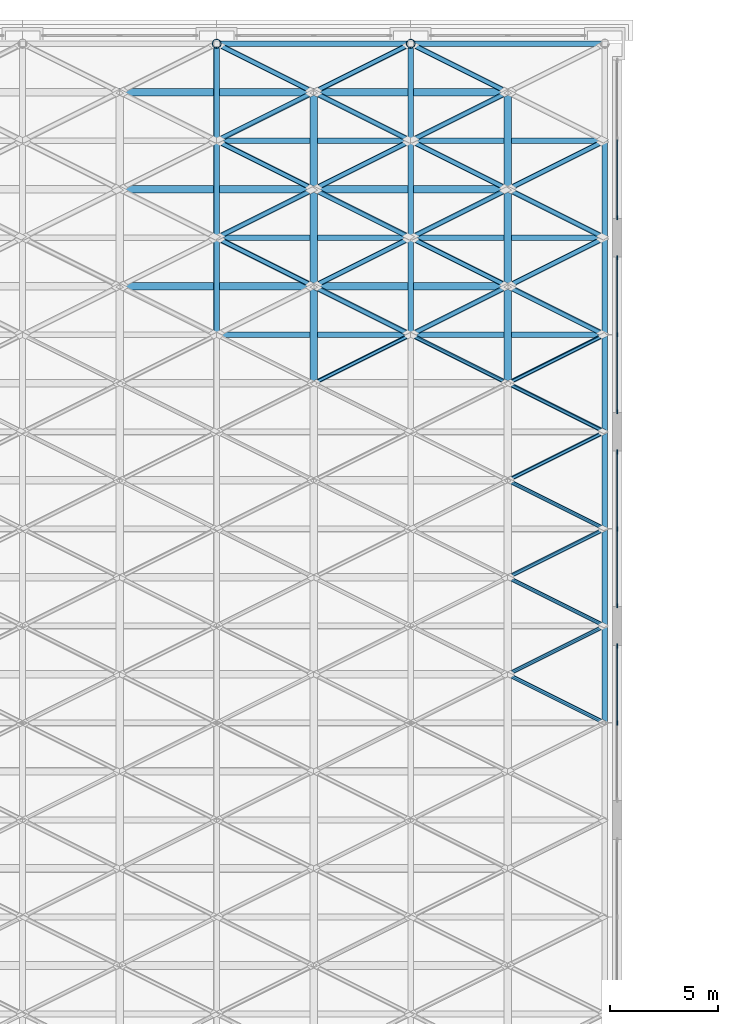
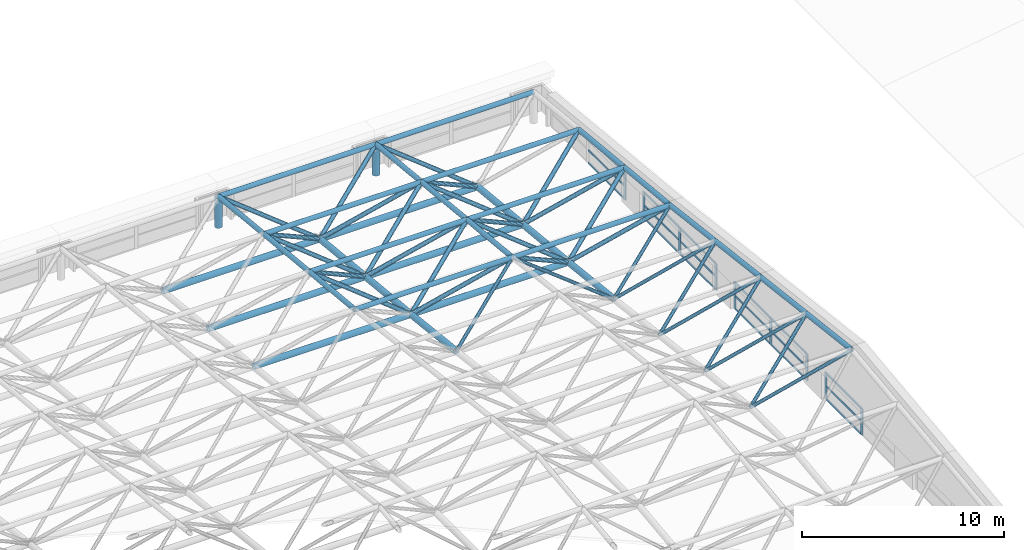
# One storey, part 18 of 53: 92 members, 4 elements without a shape of their own.
"""IFC4 building model written with IfcOpenShell, lengths in metres."""

from ifc_helpers import new_model, si_unit, direction, frame, origin, origin_2d, place, context, subcontext, project, spatial, rectangle, hollow_circle, extrude, material, material_profile, profile_set, type_object, element, aggregate, save


model = new_model("IFC4")

# Units and contexts
model_context = context("Model", 3, precision=1e-05, world=origin(), true_north=direction((0.0, 1.0)))
body_context = subcontext(model_context, "Body", "Model", "MODEL_VIEW")
ifc_project = project(units=[si_unit("LENGTHUNIT", "METRE"), si_unit("AREAUNIT", "SQUARE_METRE"), si_unit("VOLUMEUNIT", "CUBIC_METRE"), si_unit("PLANEANGLEUNIT", "RADIAN"), si_unit("MASSUNIT", "GRAM", prefix="KILO")], contexts=[model_context])

# Site, building, storey
site_placement = place(None, origin())
site = spatial("IfcSite", under=ifc_project, at=site_placement, CompositionType="ELEMENT")
building_placement = place(site_placement, origin())
building = spatial("IfcBuilding", under=site, at=building_placement, Name="Aravalli Gate Trade Fair Centre", CompositionType="ELEMENT")
storey_placement = place(building_placement, frame((0.0, 0.0, 25.199951171875)))
storey = spatial("IfcBuildingStorey", under=building, at=storey_placement, Name="ROOF LEVEL 2", CompositionType="ELEMENT", Elevation=25.199951171875)

# Members
ifc_material_1 = material(Name="Steel E350", Category="steel")
ifc_material_profile_1 = material_profile(ifc_material_1, hollow_circle(Radius=0.096923828125, WallThickness=0.00634765625, at=origin_2d()), Name="CHS 193.7x6.3")
ifc_profile_set_1 = profile_set([ifc_material_profile_1], Name="Steel E350")
member_type_1 = type_object("IfcMemberType", Name="CHS 193.7x6.3", PredefinedType="BRACE", material=ifc_profile_set_1)
for number, where, z_axis, x_axis, name in (
    (1, (105.0, 77.5, 5.330078125), (-0.74994242606, 0.37497121303, -0.544961417895), (-0.4472135955, -0.894427191, 0.0), "Space frame web diagonal D4B"),
    (2, (105.0, 82.0, 4.7900390625), (-0.74994242606, 0.37497121303, -0.544961417895), (-0.4472135955, -0.894427191, 0.0), "Space frame web diagonal D4B"),
):
    element("IfcMember", number, at=place(storey_placement, frame(where, z_axis=z_axis, x_axis=x_axis)), inside=storey, type_object=member_type_1, Name=name, PredefinedType="BRACE", context=body_context, shape_type="SweptSolid", body=[
        extrude(hollow_circle(Radius=0.096923828125, WallThickness=0.00634765625, at=origin_2d()), origin(), (0.0, 0.0, 1.0), 6.00048828125),
    ])
for number, where, z_axis, x_axis, name in (
    (3, (105.0, 82.0, 4.7900390625), (-0.786150117051, -0.393075058526, -0.476927658901), (0.4472135955, -0.894427191, 0.0), "Space frame web diagonal D4D"),
    (4, (105.0, 86.5, 4.25), (-0.786150117051, -0.393075058526, -0.476927658901), (0.4472135955, -0.894427191, 0.0), "Space frame web diagonal D4D"),
):
    element("IfcMember", number, at=place(storey_placement, frame(where, z_axis=z_axis, x_axis=x_axis)), inside=storey, type_object=member_type_1, Name=name, PredefinedType="BRACE", context=body_context, shape_type="SweptSolid", body=[
        extrude(hollow_circle(Radius=0.096923828125, WallThickness=0.00634765625, at=origin_2d()), origin(), (0.0, 0.0, 1.0), 5.72412109375),
    ])
for number, where, z_axis, x_axis, name in (
    (5, (105.0, 86.5, 4.25), (-0.749609832162, 0.374804916081, -0.545533110277), (-0.4472135955, -0.894427191, 0.0), "Space frame web diagonal D5B"),
    (6, (105.0, 91.0, 3.699951171875), (-0.749609832162, 0.374804916081, -0.545533110277), (-0.4472135955, -0.894427191, 0.0), "Space frame web diagonal D5B"),
):
    element("IfcMember", number, at=place(storey_placement, frame(where, z_axis=z_axis, x_axis=x_axis)), inside=storey, type_object=member_type_1, Name=name, PredefinedType="BRACE", context=body_context, shape_type="SweptSolid", body=[
        extrude(hollow_circle(Radius=0.096923828125, WallThickness=0.00634765625, at=origin_2d()), origin(), (0.0, 0.0, 1.0), 6.003173828125),
    ])
for number, where, z_axis, x_axis, name in (
    (7, (96.0, 95.5, 3.150146484375), (0.786469857322, -0.393234928661, -0.476268258867), (0.4472135955, 0.894427191, 0.0), "Space frame web diagonal D5C"),
    (8, (105.0, 91.0, 3.699951171875), (-0.786485839543, -0.393242919772, -0.476235267749), (0.4472135955, -0.894427191, 0.0), "Space frame web diagonal D5D"),
    (9, (96.0, 95.5, 3.150146484375), (-0.786469857322, -0.393234928661, -0.476268258867), (0.4472135955, -0.894427191, 0.0), "Space frame web diagonal D5D"),
    (10, (105.0, 95.5, 3.150146484375), (-0.786469857322, -0.393234928661, -0.476268258867), (0.4472135955, -0.894427191, 0.0), "Space frame web diagonal D5D"),
):
    element("IfcMember", number, at=place(storey_placement, frame(where, z_axis=z_axis, x_axis=x_axis)), inside=storey, type_object=member_type_1, Name=name, PredefinedType="BRACE", context=body_context, shape_type="SweptSolid", body=[
        extrude(hollow_circle(Radius=0.096923828125, WallThickness=0.00634765625, at=origin_2d()), origin(), (0.0, 0.0, 1.0), 5.7216796875),
    ])
ifc_material_profile_2 = material_profile(ifc_material_1, hollow_circle(Radius=0.122314453125, WallThickness=0.008056640625, at=origin_2d()), Name="CHS 244.5x8")
ifc_profile_set_2 = profile_set([ifc_material_profile_2], Name="Steel E350")
member_type_2 = type_object("IfcMemberType", Name="CHS 244.5x8", PredefinedType="BRACE", material=ifc_profile_set_2)
for number, where, z_axis, x_axis, name in (
    (11, (96.0, 95.5, 3.150146484375), (0.752999619823, 0.376499809912, -0.539666068678), (-0.4472135955, 0.894427191, 0.0), "Space frame web diagonal D6A"),
    (12, (87.0, 100.0, 2.699951171875), (0.753016221047, 0.376508110523, -0.539637112837), (-0.4472135955, 0.894427191, 0.0), "Space frame web diagonal D6A"),
    (13, (96.0, 100.0, 2.699951171875), (0.753016221047, 0.376508110523, -0.539637112837), (-0.4472135955, 0.894427191, 0.0), "Space frame web diagonal D6A"),
    (14, (87.0, 104.5, 2.25), (0.753016221047, 0.376508110523, -0.539637112837), (-0.4472135955, 0.894427191, 0.0), "Space frame web diagonal D6A"),
    (15, (96.0, 104.5, 2.25), (0.753016221047, 0.376508110523, -0.539637112837), (-0.4472135955, 0.894427191, 0.0), "Space frame web diagonal D6A"),
    (16, (96.0, 95.5, 3.150146484375), (-0.752999619823, 0.376499809912, -0.539666068678), (-0.4472135955, -0.894427191, 0.0), "Space frame web diagonal D6B"),
    (17, (105.0, 95.5, 3.150146484375), (-0.752999619823, 0.376499809912, -0.539666068678), (-0.4472135955, -0.894427191, 0.0), "Space frame web diagonal D6B"),
    (18, (96.0, 100.0, 2.699951171875), (-0.753016221047, 0.376508110523, -0.539637112837), (-0.4472135955, -0.894427191, 0.0), "Space frame web diagonal D6B"),
    (19, (105.0, 100.0, 2.699951171875), (-0.753016221047, 0.376508110523, -0.539637112837), (-0.4472135955, -0.894427191, 0.0), "Space frame web diagonal D6B"),
    (20, (96.0, 104.5, 2.25), (-0.753016221047, 0.376508110523, -0.539637112837), (-0.4472135955, -0.894427191, 0.0), "Space frame web diagonal D6B"),
):
    element("IfcMember", number, at=place(storey_placement, frame(where, z_axis=z_axis, x_axis=x_axis)), inside=storey, type_object=member_type_2, Name=name, PredefinedType="BRACE", context=body_context, shape_type="SweptSolid", body=[
        extrude(hollow_circle(Radius=0.122314453125, WallThickness=0.008056640625, at=origin_2d()), origin(), (0.0, 0.0, 1.0), 5.97607421875),
    ])
for number, where, z_axis, x_axis, name in (
    (21, (87.0, 100.0, 2.699951171875), (0.783200147531, -0.391600073766, -0.48295642778), (0.4472135955, 0.894427191, 0.0), "Space frame web diagonal D6C"),
    (22, (96.0, 100.0, 2.699951171875), (0.783200147531, -0.391600073766, -0.48295642778), (0.4472135955, 0.894427191, 0.0), "Space frame web diagonal D6C"),
    (23, (87.0, 104.5, 2.25), (0.783200147531, -0.391600073766, -0.48295642778), (0.4472135955, 0.894427191, 0.0), "Space frame web diagonal D6C"),
    (24, (96.0, 104.5, 2.25), (0.783200147531, -0.391600073766, -0.48295642778), (0.4472135955, 0.894427191, 0.0), "Space frame web diagonal D6C"),
    (25, (87.0, 109.0, 1.800048828125), (0.783200147531, -0.391600073766, -0.48295642778), (0.4472135955, 0.894427191, 0.0), "Space frame web diagonal D6C"),
    (26, (96.0, 109.0, 1.800048828125), (0.783200147531, -0.391600073766, -0.48295642778), (0.4472135955, 0.894427191, 0.0), "Space frame web diagonal D6C"),
    (27, (96.0, 100.0, 2.699951171875), (-0.783200147531, -0.391600073766, -0.48295642778), (0.4472135955, -0.894427191, 0.0), "Space frame web diagonal D6D"),
    (28, (105.0, 100.0, 2.699951171875), (-0.783200147531, -0.391600073766, -0.48295642778), (0.4472135955, -0.894427191, 0.0), "Space frame web diagonal D6D"),
    (29, (96.0, 104.5, 2.25), (-0.783200147531, -0.391600073766, -0.48295642778), (0.4472135955, -0.894427191, 0.0), "Space frame web diagonal D6D"),
    (30, (105.0, 104.5, 2.25), (-0.783200147531, -0.391600073766, -0.48295642778), (0.4472135955, -0.894427191, 0.0), "Space frame web diagonal D6D"),
    (31, (96.0, 109.0, 1.800048828125), (-0.783200147531, -0.391600073766, -0.48295642778), (0.4472135955, -0.894427191, 0.0), "Space frame web diagonal D6D"),
):
    element("IfcMember", number, at=place(storey_placement, frame(where, z_axis=z_axis, x_axis=x_axis)), inside=storey, type_object=member_type_2, Name=name, PredefinedType="BRACE", context=body_context, shape_type="SweptSolid", body=[
        extrude(hollow_circle(Radius=0.122314453125, WallThickness=0.008056640625, at=origin_2d()), origin(), (0.0, 0.0, 1.0), 5.74560546875),
    ])
ifc_material_profile_3 = material_profile(ifc_material_1, hollow_circle(Radius=0.136474609375, WallThickness=0.010009765625, at=origin_2d()), Name="CHS 273.1x10")
ifc_profile_set_3 = profile_set([ifc_material_profile_3], Name="Steel E350")
member_type_3 = type_object("IfcMemberType", Name="CHS 273.1x10", PredefinedType="CHORD", material=ifc_profile_set_3)
for number, where, z_axis, x_axis, name in (
    (32, (87.0, 95.5, 3.150146484375), (1.0, 0.0, 0.0), (0.0, 1.0, 0.0), "Space frame top chord along the lines T6"),
    (33, (96.0, 95.5, 3.150146484375), (1.0, 0.0, 0.0), (0.0, 1.0, 0.0), "Space frame top chord along the lines T6"),
    (34, (87.0, 100.0, 2.699951171875), (1.0, 0.0, 0.0), (0.0, 1.0, 0.0), "Space frame top chord along the lines T7"),
    (35, (96.0, 100.0, 2.699951171875), (1.0, 0.0, 0.0), (0.0, 1.0, 0.0), "Space frame top chord along the lines T7"),
    (36, (87.0, 104.5, 2.25), (1.0, 0.0, 0.0), (0.0, 1.0, 0.0), "Space frame top chord along the lines T7"),
    (37, (96.0, 104.5, 2.25), (1.0, 0.0, 0.0), (0.0, 1.0, 0.0), "Space frame top chord along the lines T7"),
):
    element("IfcMember", number, at=place(storey_placement, frame(where, z_axis=z_axis, x_axis=x_axis)), inside=storey, type_object=member_type_3, Name=name, PredefinedType="CHORD", context=body_context, shape_type="SweptSolid", body=[
        extrude(hollow_circle(Radius=0.136474609375, WallThickness=0.010009765625, at=origin_2d()), origin(), (0.0, 0.0, 1.0), 9.0),
    ])
for number, where, z_axis, x_axis, name in (
    (38, (87.0, 95.5, 3.150146484375), (0.0, 0.995032913332, -0.099546478526), (-1.0, 0.0, 0.0), "Space frame top chord across the vault Y6"),
    (39, (87.0, 100.0, 2.699951171875), (0.0, 0.995038259148, -0.099493029059), (-1.0, 0.0, 0.0), "Space frame top chord across the vault Y6"),
    (40, (87.0, 104.5, 2.25), (0.0, 0.995038259148, -0.099493029059), (-1.0, 0.0, 0.0), "Space frame top chord across the vault Y6"),
    (41, (96.0, 95.5, 3.150146484375), (0.0, 0.995032913332, -0.099546478526), (-1.0, 0.0, 0.0), "Space frame top chord across the vault Y6"),
    (42, (96.0, 100.0, 2.699951171875), (0.0, 0.995038259148, -0.099493029059), (-1.0, 0.0, 0.0), "Space frame top chord across the vault Y6"),
    (43, (96.0, 104.5, 2.25), (0.0, 0.995038259148, -0.099493029059), (-1.0, 0.0, 0.0), "Space frame top chord across the vault Y6"),
):
    element("IfcMember", number, at=place(storey_placement, frame(where, z_axis=z_axis, x_axis=x_axis)), inside=storey, type_object=member_type_3, Name=name, PredefinedType="CHORD", context=body_context, shape_type="SweptSolid", body=[
        extrude(hollow_circle(Radius=0.136474609375, WallThickness=0.010009765625, at=origin_2d()), origin(), (0.0, 0.0, 1.0), 4.5224609375),
    ])
ifc_material_profile_4 = material_profile(ifc_material_1, hollow_circle(Radius=0.136474609375, WallThickness=0.01611328125, at=origin_2d()), Name="CHS 273.1x16")
ifc_profile_set_4 = profile_set([ifc_material_profile_4], Name="Steel E350")
member_type_4 = type_object("IfcMemberType", Name="CHS 273.1x16", PredefinedType="CHORD", material=ifc_profile_set_4)
for number, where, z_axis, x_axis, name in (
    (44, (87.0, 109.0, 1.800048828125), (1.0, 0.0, 0.0), (0.0, 1.0, 0.0), "Space frame top chord along the lines TE2"),
    (45, (96.0, 109.0, 1.800048828125), (1.0, 0.0, 0.0), (0.0, 1.0, 0.0), "Space frame top chord along the lines TE2"),
):
    element("IfcMember", number, at=place(storey_placement, frame(where, z_axis=z_axis, x_axis=x_axis)), inside=storey, type_object=member_type_4, Name=name, PredefinedType="CHORD", context=body_context, shape_type="SweptSolid", body=[
        extrude(hollow_circle(Radius=0.136474609375, WallThickness=0.01611328125, at=origin_2d()), origin(), (0.0, 0.0, 1.0), 9.0),
    ])
for number, where, z_axis, x_axis, name in (
    (46, (105.0, 77.5, 5.330078125), (0.0, 0.992875818887, -0.11915371698), (-1.0, 0.0, 0.0), "Space frame edge chord at the end lines YE4"),
    (47, (105.0, 82.0, 4.7900390625), (0.0, 0.992875818887, -0.11915371698), (-1.0, 0.0, 0.0), "Space frame edge chord at the end lines YE4"),
):
    element("IfcMember", number, at=place(storey_placement, frame(where, z_axis=z_axis, x_axis=x_axis)), inside=storey, type_object=member_type_4, Name=name, PredefinedType="CHORD", context=body_context, shape_type="SweptSolid", body=[
        extrude(hollow_circle(Radius=0.136474609375, WallThickness=0.01611328125, at=origin_2d()), origin(), (0.0, 0.0, 1.0), 4.5322265625),
    ])
for number, where, z_axis, x_axis, name in (
    (48, (105.0, 86.5, 4.25), (0.0, 0.992612220818, -0.121330041965), (-1.0, 0.0, 0.0), "Space frame edge chord at the end lines YE5"),
    (49, (105.0, 91.0, 3.699951171875), (0.0, 0.992618705116, -0.12127698155), (-1.0, 0.0, 0.0), "Space frame edge chord at the end lines YE5"),
):
    element("IfcMember", number, at=place(storey_placement, frame(where, z_axis=z_axis, x_axis=x_axis)), inside=storey, type_object=member_type_4, Name=name, PredefinedType="CHORD", context=body_context, shape_type="SweptSolid", body=[
        extrude(hollow_circle(Radius=0.136474609375, WallThickness=0.01611328125, at=origin_2d()), origin(), (0.0, 0.0, 1.0), 4.533447265625),
    ])
for number, where, z_axis, x_axis, name in (
    (50, (105.0, 95.5, 3.150146484375), (0.0, 0.995032913332, -0.099546478526), (-1.0, 0.0, 0.0), "Space frame edge chord at the end lines YE6"),
    (51, (105.0, 100.0, 2.699951171875), (0.0, 0.995038259148, -0.099493029059), (-1.0, 0.0, 0.0), "Space frame edge chord at the end lines YE6"),
):
    element("IfcMember", number, at=place(storey_placement, frame(where, z_axis=z_axis, x_axis=x_axis)), inside=storey, type_object=member_type_4, Name=name, PredefinedType="CHORD", context=body_context, shape_type="SweptSolid", body=[
        extrude(hollow_circle(Radius=0.136474609375, WallThickness=0.01611328125, at=origin_2d()), origin(), (0.0, 0.0, 1.0), 4.5224609375),
    ])
ifc_material_profile_5 = material_profile(ifc_material_1, hollow_circle(Radius=0.177734375, WallThickness=0.010009765625, at=origin_2d()), Name="CHS 355.6x10")
ifc_profile_set_5 = profile_set([ifc_material_profile_5], Name="Steel E350")
member_type_5 = type_object("IfcMemberType", Name="CHS 355.6x10", PredefinedType="CHORD", material=ifc_profile_set_5)
for number, where, z_axis, x_axis, name in (
    (52, (82.5, 97.75, -0.074951171875), (1.0, 0.0, 0.0), (0.0, 1.0, 0.0), "Space frame bottom chord along the lines B6"),
    (53, (91.5, 97.75, -0.074951171875), (1.0, 0.0, 0.0), (0.0, 1.0, 0.0), "Space frame bottom chord along the lines B6"),
    (54, (82.5, 102.25, -0.52490234375), (1.0, 0.0, 0.0), (0.0, 1.0, 0.0), "Space frame bottom chord along the lines B6"),
    (55, (91.5, 102.25, -0.52490234375), (1.0, 0.0, 0.0), (0.0, 1.0, 0.0), "Space frame bottom chord along the lines B6"),
):
    element("IfcMember", number, at=place(storey_placement, frame(where, z_axis=z_axis, x_axis=x_axis)), inside=storey, type_object=member_type_5, Name=name, PredefinedType="CHORD", context=body_context, shape_type="SweptSolid", body=[
        extrude(hollow_circle(Radius=0.177734375, WallThickness=0.010009765625, at=origin_2d()), origin(), (0.0, 0.0, 1.0), 9.0),
    ])
for number, where, z_axis, x_axis, name in (
    (56, (91.5, 93.25, 0.425048828125), (0.0, 0.993883734674, -0.110431526075), (-1.0, 0.0, 0.0), "Space frame bottom chord across the vault C10"),
    (57, (100.5, 93.25, 0.425048828125), (0.0, 0.993883734674, -0.110431526075), (-1.0, 0.0, 0.0), "Space frame bottom chord across the vault C10"),
):
    element("IfcMember", number, at=place(storey_placement, frame(where, z_axis=z_axis, x_axis=x_axis)), inside=storey, type_object=member_type_5, Name=name, PredefinedType="CHORD", context=body_context, shape_type="SweptSolid", body=[
        extrude(hollow_circle(Radius=0.177734375, WallThickness=0.010009765625, at=origin_2d()), origin(), (0.0, 0.0, 1.0), 4.527587890625),
    ])
for number, where, z_axis, x_axis, name in (
    (58, (91.5, 97.75, -0.074951171875), (0.0, 0.995038259148, -0.099493029059), (-1.0, 0.0, 0.0), "Space frame bottom chord across the vault C11"),
    (59, (91.5, 102.25, -0.52490234375), (0.0, 0.995038259148, -0.099493029059), (-1.0, 0.0, 0.0), "Space frame bottom chord across the vault C11"),
    (60, (100.5, 97.75, -0.074951171875), (0.0, 0.995038259148, -0.099493029059), (-1.0, 0.0, 0.0), "Space frame bottom chord across the vault C11"),
    (61, (100.5, 102.25, -0.52490234375), (0.0, 0.995038259148, -0.099493029059), (-1.0, 0.0, 0.0), "Space frame bottom chord across the vault C11"),
):
    element("IfcMember", number, at=place(storey_placement, frame(where, z_axis=z_axis, x_axis=x_axis)), inside=storey, type_object=member_type_5, Name=name, PredefinedType="CHORD", context=body_context, shape_type="SweptSolid", body=[
        extrude(hollow_circle(Radius=0.177734375, WallThickness=0.010009765625, at=origin_2d()), origin(), (0.0, 0.0, 1.0), 4.5224609375),
    ])
ifc_material_profile_6 = material_profile(ifc_material_1, hollow_circle(Radius=0.177734375, WallThickness=0.01611328125, at=origin_2d()), Name="CHS 355.6x16")
ifc_profile_set_6 = profile_set([ifc_material_profile_6], Name="Steel E350")
member_type_6 = type_object("IfcMemberType", Name="CHS 355.6x16", PredefinedType="CHORD", material=ifc_profile_set_6)
for number, where, z_axis, x_axis, name in (
    (62, (82.5, 106.75, -0.974853515625), (1.0, 0.0, 0.0), (0.0, 1.0, 0.0), "Space frame bottom chord along the lines BE2"),
    (63, (91.5, 106.75, -0.974853515625), (1.0, 0.0, 0.0), (0.0, 1.0, 0.0), "Space frame bottom chord along the lines BE2"),
):
    element("IfcMember", number, at=place(storey_placement, frame(where, z_axis=z_axis, x_axis=x_axis)), inside=storey, type_object=member_type_6, Name=name, PredefinedType="CHORD", context=body_context, shape_type="SweptSolid", body=[
        extrude(hollow_circle(Radius=0.177734375, WallThickness=0.01611328125, at=origin_2d()), origin(), (0.0, 0.0, 1.0), 9.0),
    ])
ifc_material_profile_7 = material_profile(ifc_material_1, hollow_circle(Radius=0.203125, WallThickness=0.01611328125, at=origin_2d()), Name="CHS 406.4x16")
ifc_profile_set_7 = profile_set([ifc_material_profile_7], Name="Steel E350")
member_type_7 = type_object("IfcMemberType", Name="CHS 406.4x16", PredefinedType="POST", material=ifc_profile_set_7)
for number, where, z_axis, x_axis, name in (
    (64, (87.0, 109.0, 0.0), (0.0, 0.0, 1.0), (1.0, 0.0, 0.0), "Space frame bearing post P1"),
    (65, (96.0, 109.0, 0.0), (0.0, 0.0, 1.0), (1.0, 0.0, 0.0), "Space frame bearing post P1"),
):
    element("IfcMember", number, at=place(storey_placement, frame(where, z_axis=z_axis, x_axis=x_axis)), inside=storey, type_object=member_type_7, Name=name, PredefinedType="POST", context=body_context, shape_type="SweptSolid", body=[
        extrude(hollow_circle(Radius=0.203125, WallThickness=0.01611328125, at=origin_2d()), origin(), (0.0, 0.0, 1.0), 1.800048828125),
    ])

# Curtain wall, members
ifc_material_2 = material(Name="Aluminium, glass and louvre", Category="aluminium")
curtain_wall_type = type_object("IfcCurtainWallType", Name="Hall crown curtain wall 3000 module", PredefinedType="NOTDEFINED", material=ifc_material_2)
curtain_wall_1_placement = place(storey_placement, origin())
curtain_wall_1 = element("IfcCurtainWall", 66, at=curtain_wall_1_placement, inside=storey, type_object=curtain_wall_type, Name="Hall east crown curtain wall 4 ROOF LEVEL 2", PredefinedType="NOTDEFINED")
ifc_material_3 = material(Name="Aluminium", Category="aluminium")
ifc_material_profile_8 = material_profile(ifc_material_3, rectangle(XDim=0.06005859375, YDim=0.199951171875, at=origin_2d()), Name="Hall curtain wall mullion 60 x 200")
ifc_profile_set_8 = profile_set([ifc_material_profile_8], Name="Aluminium")
member_type_8 = type_object("IfcMemberType", Name="Hall curtain wall mullion 60 x 200", PredefinedType="MULLION", material=ifc_profile_set_8)
member_1_placement = place(storey_placement, frame((105.574951171875, 77.5, 0.0), z_axis=(0.0, 0.0, 1.0), x_axis=(-1.0, 0.0, 0.0)))
member_1 = element("IfcMember", 67, at=member_1_placement, type_object=member_type_8, Name="HCW1 mullion 2", PredefinedType="MULLION", context=body_context, shape_type="SweptSolid", body=[
    extrude(rectangle(XDim=0.06005859375, YDim=0.199951171875, at=origin_2d()), origin(), (0.0, 0.0, 1.0), 1.60009765625),
])
member_2_placement = place(storey_placement, frame((105.574951171875, 81.070068359375, 0.0), z_axis=(0.0, 0.0, 1.0), x_axis=(-1.0, 0.0, 0.0)))
member_2 = element("IfcMember", 68, at=member_2_placement, type_object=member_type_8, Name="HCW1 mullion 3", PredefinedType="MULLION", context=body_context, shape_type="SweptSolid", body=[
    extrude(rectangle(XDim=0.06005859375, YDim=0.199951171875, at=origin_2d()), origin(), (0.0, 0.0, 1.0), 1.60009765625),
])

curtain_wall_2_placement = place(storey_placement, origin())
curtain_wall_2 = element("IfcCurtainWall", 69, at=curtain_wall_2_placement, inside=storey, type_object=curtain_wall_type, Name="Hall east crown curtain wall 5 ROOF LEVEL 2", PredefinedType="NOTDEFINED")
member_3_placement = place(storey_placement, frame((105.574951171875, 82.929931640625, 0.0), z_axis=(0.0, 0.0, 1.0), x_axis=(-1.0, 0.0, 0.0)))
member_3 = element("IfcMember", 70, at=member_3_placement, type_object=member_type_8, Name="HCW1 mullion 1", PredefinedType="MULLION", context=body_context, shape_type="SweptSolid", body=[
    extrude(rectangle(XDim=0.06005859375, YDim=0.199951171875, at=origin_2d()), origin(), (0.0, 0.0, 1.0), 1.60009765625),
])
member_4_placement = place(storey_placement, frame((105.574951171875, 86.5, 0.0), z_axis=(0.0, 0.0, 1.0), x_axis=(-1.0, 0.0, 0.0)))
member_4 = element("IfcMember", 71, at=member_4_placement, type_object=member_type_8, Name="HCW1 mullion 2", PredefinedType="MULLION", context=body_context, shape_type="SweptSolid", body=[
    extrude(rectangle(XDim=0.06005859375, YDim=0.199951171875, at=origin_2d()), origin(), (0.0, 0.0, 1.0), 1.60009765625),
])
member_5_placement = place(storey_placement, frame((105.574951171875, 90.070068359375, 0.0), z_axis=(0.0, 0.0, 1.0), x_axis=(-1.0, 0.0, 0.0)))
member_5 = element("IfcMember", 72, at=member_5_placement, type_object=member_type_8, Name="HCW1 mullion 3", PredefinedType="MULLION", context=body_context, shape_type="SweptSolid", body=[
    extrude(rectangle(XDim=0.06005859375, YDim=0.199951171875, at=origin_2d()), origin(), (0.0, 0.0, 1.0), 1.60009765625),
])

curtain_wall_3_placement = place(storey_placement, origin())
curtain_wall_3 = element("IfcCurtainWall", 73, at=curtain_wall_3_placement, inside=storey, type_object=curtain_wall_type, Name="Hall east crown curtain wall 6 ROOF LEVEL 2", PredefinedType="NOTDEFINED")
member_6_placement = place(storey_placement, frame((105.574951171875, 91.929931640625, 0.0), z_axis=(0.0, 0.0, 1.0), x_axis=(-1.0, 0.0, 0.0)))
member_6 = element("IfcMember", 74, at=member_6_placement, type_object=member_type_8, Name="HCW1 mullion 1", PredefinedType="MULLION", context=body_context, shape_type="SweptSolid", body=[
    extrude(rectangle(XDim=0.06005859375, YDim=0.199951171875, at=origin_2d()), origin(), (0.0, 0.0, 1.0), 1.60009765625),
])
member_7_placement = place(storey_placement, frame((105.574951171875, 95.5, 0.0), z_axis=(0.0, 0.0, 1.0), x_axis=(-1.0, 0.0, 0.0)))
member_7 = element("IfcMember", 75, at=member_7_placement, type_object=member_type_8, Name="HCW1 mullion 2", PredefinedType="MULLION", context=body_context, shape_type="SweptSolid", body=[
    extrude(rectangle(XDim=0.06005859375, YDim=0.199951171875, at=origin_2d()), origin(), (0.0, 0.0, 1.0), 1.60009765625),
])
member_8_placement = place(storey_placement, frame((105.574951171875, 99.070068359375, 0.0), z_axis=(0.0, 0.0, 1.0), x_axis=(-1.0, 0.0, 0.0)))
member_8 = element("IfcMember", 76, at=member_8_placement, type_object=member_type_8, Name="HCW1 mullion 3", PredefinedType="MULLION", context=body_context, shape_type="SweptSolid", body=[
    extrude(rectangle(XDim=0.06005859375, YDim=0.199951171875, at=origin_2d()), origin(), (0.0, 0.0, 1.0), 1.60009765625),
])

# Curtain wall, member
curtain_wall_4_placement = place(storey_placement, origin())
curtain_wall_4 = element("IfcCurtainWall", 77, at=curtain_wall_4_placement, inside=storey, type_object=curtain_wall_type, Name="Hall east crown curtain wall 7 ROOF LEVEL 2", PredefinedType="NOTDEFINED")
member_9_placement = place(storey_placement, frame((105.574951171875, 100.929931640625, 0.0), z_axis=(0.0, 0.0, 1.0), x_axis=(-1.0, 0.0, 0.0)))
member_9 = element("IfcMember", 78, at=member_9_placement, type_object=member_type_8, Name="HCW1 mullion 1", PredefinedType="MULLION", context=body_context, shape_type="SweptSolid", body=[
    extrude(rectangle(XDim=0.06005859375, YDim=0.199951171875, at=origin_2d()), origin(), (0.0, 0.0, 1.0), 1.60009765625),
])

# Member
ifc_material_profile_9 = material_profile(ifc_material_3, rectangle(XDim=0.06005859375, YDim=0.1201171875, at=origin_2d()), Name="Hall curtain wall transom 60 x 120")
ifc_profile_set_9 = profile_set([ifc_material_profile_9], Name="Aluminium")
member_type_9 = type_object("IfcMemberType", Name="Hall curtain wall transom 60 x 120", PredefinedType="USERDEFINED", material=ifc_profile_set_9)
member_10_placement = place(storey_placement, frame((105.574951171875, 77.530029296875, 0.030029296875), z_axis=(0.0, 1.0, 0.0), x_axis=(-1.0, 0.0, 0.0)))
member_10 = element("IfcMember", 79, at=member_10_placement, type_object=member_type_9, Name="HCW1 transom 2.1", ObjectType="TRANSOM", PredefinedType="USERDEFINED", context=body_context, shape_type="SweptSolid", body=[
    extrude(rectangle(XDim=0.06005859375, YDim=0.1201171875, at=origin_2d()), origin(), (0.0, 0.0, 1.0), 3.510009765625),
])

member_11_placement = place(storey_placement, frame((105.574951171875, 77.530029296875, 0.800048828125), z_axis=(0.0, 1.0, 0.0), x_axis=(-1.0, 0.0, 0.0)))
member_11 = element("IfcMember", 80, at=member_11_placement, type_object=member_type_9, Name="HCW1 transom 2.2", ObjectType="TRANSOM", PredefinedType="USERDEFINED", context=body_context, shape_type="SweptSolid", body=[
    extrude(rectangle(XDim=0.06005859375, YDim=0.1201171875, at=origin_2d()), origin(), (0.0, 0.0, 1.0), 3.510009765625),
])

member_12_placement = place(storey_placement, frame((105.574951171875, 77.530029296875, 1.570068359375), z_axis=(0.0, 1.0, 0.0), x_axis=(-1.0, 0.0, 0.0)))
member_12 = element("IfcMember", 81, at=member_12_placement, type_object=member_type_9, Name="HCW1 transom 2.3", ObjectType="TRANSOM", PredefinedType="USERDEFINED", context=body_context, shape_type="SweptSolid", body=[
    extrude(rectangle(XDim=0.06005859375, YDim=0.1201171875, at=origin_2d()), origin(), (0.0, 0.0, 1.0), 3.510009765625),
])

aggregate(curtain_wall_1, [member_1, member_2, member_10, member_11, member_12])

member_13_placement = place(storey_placement, frame((105.574951171875, 82.9599609375, 0.030029296875), z_axis=(0.0, 1.0, 0.0), x_axis=(-1.0, 0.0, 0.0)))
member_13 = element("IfcMember", 82, at=member_13_placement, type_object=member_type_9, Name="HCW1 transom 1.1", ObjectType="TRANSOM", PredefinedType="USERDEFINED", context=body_context, shape_type="SweptSolid", body=[
    extrude(rectangle(XDim=0.06005859375, YDim=0.1201171875, at=origin_2d()), origin(), (0.0, 0.0, 1.0), 3.510009765625),
])

member_14_placement = place(storey_placement, frame((105.574951171875, 82.9599609375, 0.800048828125), z_axis=(0.0, 1.0, 0.0), x_axis=(-1.0, 0.0, 0.0)))
member_14 = element("IfcMember", 83, at=member_14_placement, type_object=member_type_9, Name="HCW1 transom 1.2", ObjectType="TRANSOM", PredefinedType="USERDEFINED", context=body_context, shape_type="SweptSolid", body=[
    extrude(rectangle(XDim=0.06005859375, YDim=0.1201171875, at=origin_2d()), origin(), (0.0, 0.0, 1.0), 3.510009765625),
])

member_15_placement = place(storey_placement, frame((105.574951171875, 82.9599609375, 1.570068359375), z_axis=(0.0, 1.0, 0.0), x_axis=(-1.0, 0.0, 0.0)))
member_15 = element("IfcMember", 84, at=member_15_placement, type_object=member_type_9, Name="HCW1 transom 1.3", ObjectType="TRANSOM", PredefinedType="USERDEFINED", context=body_context, shape_type="SweptSolid", body=[
    extrude(rectangle(XDim=0.06005859375, YDim=0.1201171875, at=origin_2d()), origin(), (0.0, 0.0, 1.0), 3.510009765625),
])

member_16_placement = place(storey_placement, frame((105.574951171875, 86.530029296875, 0.030029296875), z_axis=(0.0, 1.0, 0.0), x_axis=(-1.0, 0.0, 0.0)))
member_16 = element("IfcMember", 85, at=member_16_placement, type_object=member_type_9, Name="HCW1 transom 2.1", ObjectType="TRANSOM", PredefinedType="USERDEFINED", context=body_context, shape_type="SweptSolid", body=[
    extrude(rectangle(XDim=0.06005859375, YDim=0.1201171875, at=origin_2d()), origin(), (0.0, 0.0, 1.0), 3.510009765625),
])

member_17_placement = place(storey_placement, frame((105.574951171875, 86.530029296875, 0.800048828125), z_axis=(0.0, 1.0, 0.0), x_axis=(-1.0, 0.0, 0.0)))
member_17 = element("IfcMember", 86, at=member_17_placement, type_object=member_type_9, Name="HCW1 transom 2.2", ObjectType="TRANSOM", PredefinedType="USERDEFINED", context=body_context, shape_type="SweptSolid", body=[
    extrude(rectangle(XDim=0.06005859375, YDim=0.1201171875, at=origin_2d()), origin(), (0.0, 0.0, 1.0), 3.510009765625),
])

member_18_placement = place(storey_placement, frame((105.574951171875, 86.530029296875, 1.570068359375), z_axis=(0.0, 1.0, 0.0), x_axis=(-1.0, 0.0, 0.0)))
member_18 = element("IfcMember", 87, at=member_18_placement, type_object=member_type_9, Name="HCW1 transom 2.3", ObjectType="TRANSOM", PredefinedType="USERDEFINED", context=body_context, shape_type="SweptSolid", body=[
    extrude(rectangle(XDim=0.06005859375, YDim=0.1201171875, at=origin_2d()), origin(), (0.0, 0.0, 1.0), 3.510009765625),
])

aggregate(curtain_wall_2, [member_3, member_4, member_5, member_13, member_14, member_15, member_16, member_17, member_18])

member_19_placement = place(storey_placement, frame((105.574951171875, 91.9599609375, 0.030029296875), z_axis=(0.0, 1.0, 0.0), x_axis=(-1.0, 0.0, 0.0)))
member_19 = element("IfcMember", 88, at=member_19_placement, type_object=member_type_9, Name="HCW1 transom 1.1", ObjectType="TRANSOM", PredefinedType="USERDEFINED", context=body_context, shape_type="SweptSolid", body=[
    extrude(rectangle(XDim=0.06005859375, YDim=0.1201171875, at=origin_2d()), origin(), (0.0, 0.0, 1.0), 3.510009765625),
])

member_20_placement = place(storey_placement, frame((105.574951171875, 91.9599609375, 0.800048828125), z_axis=(0.0, 1.0, 0.0), x_axis=(-1.0, 0.0, 0.0)))
member_20 = element("IfcMember", 89, at=member_20_placement, type_object=member_type_9, Name="HCW1 transom 1.2", ObjectType="TRANSOM", PredefinedType="USERDEFINED", context=body_context, shape_type="SweptSolid", body=[
    extrude(rectangle(XDim=0.06005859375, YDim=0.1201171875, at=origin_2d()), origin(), (0.0, 0.0, 1.0), 3.510009765625),
])

member_21_placement = place(storey_placement, frame((105.574951171875, 91.9599609375, 1.570068359375), z_axis=(0.0, 1.0, 0.0), x_axis=(-1.0, 0.0, 0.0)))
member_21 = element("IfcMember", 90, at=member_21_placement, type_object=member_type_9, Name="HCW1 transom 1.3", ObjectType="TRANSOM", PredefinedType="USERDEFINED", context=body_context, shape_type="SweptSolid", body=[
    extrude(rectangle(XDim=0.06005859375, YDim=0.1201171875, at=origin_2d()), origin(), (0.0, 0.0, 1.0), 3.510009765625),
])

member_22_placement = place(storey_placement, frame((105.574951171875, 95.530029296875, 0.030029296875), z_axis=(0.0, 1.0, 0.0), x_axis=(-1.0, 0.0, 0.0)))
member_22 = element("IfcMember", 91, at=member_22_placement, type_object=member_type_9, Name="HCW1 transom 2.1", ObjectType="TRANSOM", PredefinedType="USERDEFINED", context=body_context, shape_type="SweptSolid", body=[
    extrude(rectangle(XDim=0.06005859375, YDim=0.1201171875, at=origin_2d()), origin(), (0.0, 0.0, 1.0), 3.510009765625),
])

member_23_placement = place(storey_placement, frame((105.574951171875, 95.530029296875, 0.800048828125), z_axis=(0.0, 1.0, 0.0), x_axis=(-1.0, 0.0, 0.0)))
member_23 = element("IfcMember", 92, at=member_23_placement, type_object=member_type_9, Name="HCW1 transom 2.2", ObjectType="TRANSOM", PredefinedType="USERDEFINED", context=body_context, shape_type="SweptSolid", body=[
    extrude(rectangle(XDim=0.06005859375, YDim=0.1201171875, at=origin_2d()), origin(), (0.0, 0.0, 1.0), 3.510009765625),
])

member_24_placement = place(storey_placement, frame((105.574951171875, 95.530029296875, 1.570068359375), z_axis=(0.0, 1.0, 0.0), x_axis=(-1.0, 0.0, 0.0)))
member_24 = element("IfcMember", 93, at=member_24_placement, type_object=member_type_9, Name="HCW1 transom 2.3", ObjectType="TRANSOM", PredefinedType="USERDEFINED", context=body_context, shape_type="SweptSolid", body=[
    extrude(rectangle(XDim=0.06005859375, YDim=0.1201171875, at=origin_2d()), origin(), (0.0, 0.0, 1.0), 3.510009765625),
])

aggregate(curtain_wall_3, [member_6, member_7, member_8, member_19, member_20, member_21, member_22, member_23, member_24])

member_25_placement = place(storey_placement, frame((105.574951171875, 100.9599609375, 0.030029296875), z_axis=(0.0, 1.0, 0.0), x_axis=(-1.0, 0.0, 0.0)))
member_25 = element("IfcMember", 94, at=member_25_placement, type_object=member_type_9, Name="HCW1 transom 1.1", ObjectType="TRANSOM", PredefinedType="USERDEFINED", context=body_context, shape_type="SweptSolid", body=[
    extrude(rectangle(XDim=0.06005859375, YDim=0.1201171875, at=origin_2d()), origin(), (0.0, 0.0, 1.0), 3.5849609375),
])

member_26_placement = place(storey_placement, frame((105.574951171875, 100.9599609375, 0.800048828125), z_axis=(0.0, 1.0, 0.0), x_axis=(-1.0, 0.0, 0.0)))
member_26 = element("IfcMember", 95, at=member_26_placement, type_object=member_type_9, Name="HCW1 transom 1.2", ObjectType="TRANSOM", PredefinedType="USERDEFINED", context=body_context, shape_type="SweptSolid", body=[
    extrude(rectangle(XDim=0.06005859375, YDim=0.1201171875, at=origin_2d()), origin(), (0.0, 0.0, 1.0), 3.5849609375),
])

member_27_placement = place(storey_placement, frame((105.574951171875, 100.9599609375, 1.570068359375), z_axis=(0.0, 1.0, 0.0), x_axis=(-1.0, 0.0, 0.0)))
member_27 = element("IfcMember", 96, at=member_27_placement, type_object=member_type_9, Name="HCW1 transom 1.3", ObjectType="TRANSOM", PredefinedType="USERDEFINED", context=body_context, shape_type="SweptSolid", body=[
    extrude(rectangle(XDim=0.06005859375, YDim=0.1201171875, at=origin_2d()), origin(), (0.0, 0.0, 1.0), 3.5849609375),
])

aggregate(curtain_wall_4, [member_9, member_25, member_26, member_27])

save(model, "model.ifc")
